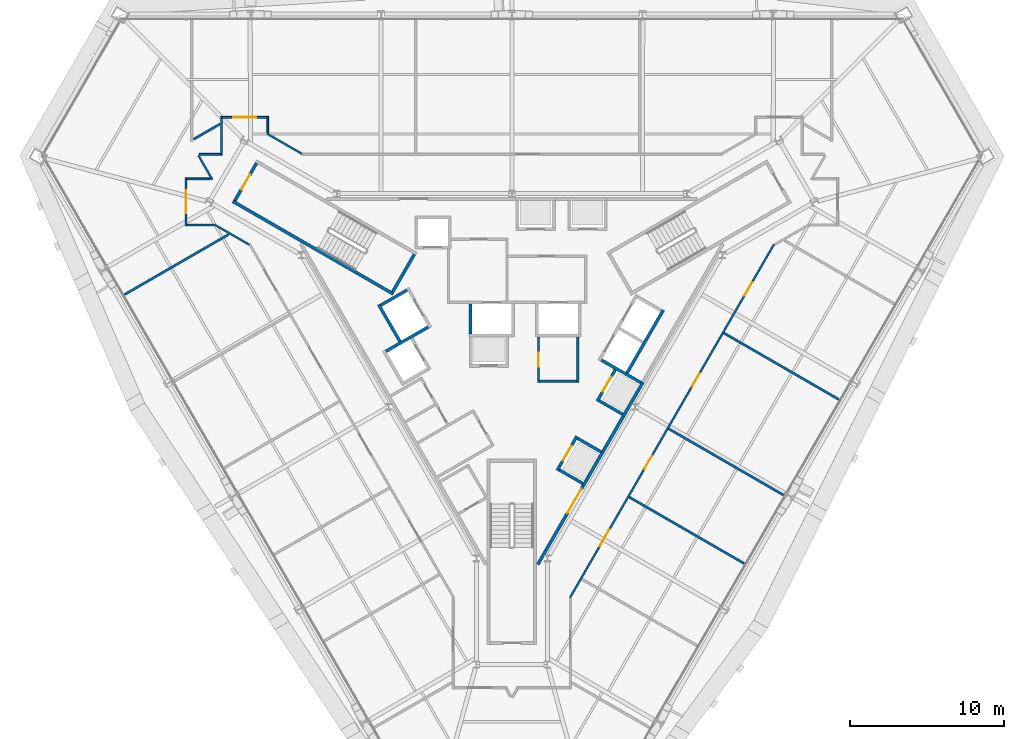
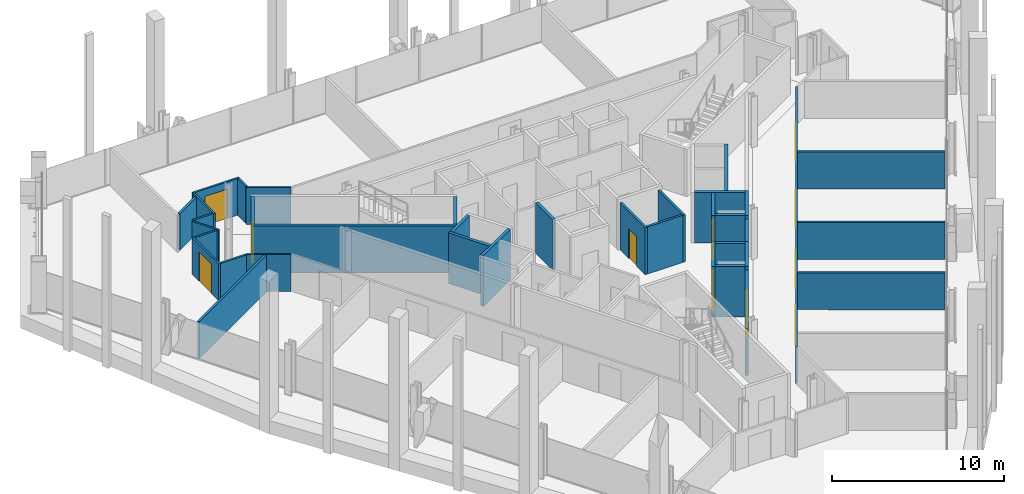
# One storey, part 11 of 16: 37 walls, 11 doors, 11 openings.
"""IFC4 building model written with IfcOpenShell, lengths in metres."""

from ifc_helpers import new_model, si_unit, direction, frame, frame_2d, origin, place, context, subcontext, project, spatial, rectangle, extrude, material, layer, layer_set, type_object, element, fill, save


model = new_model("IFC4")

# Units and contexts
model_context = context("Model", 3, precision=1e-05, world=origin(), true_north=direction((0.0, 1.0)))
body_context = subcontext(model_context, "Body", "Model", "MODEL_VIEW")
ifc_project = project(units=[si_unit("LENGTHUNIT", "METRE"), si_unit("AREAUNIT", "SQUARE_METRE"), si_unit("VOLUMEUNIT", "CUBIC_METRE"), si_unit("PLANEANGLEUNIT", "RADIAN"), si_unit("MASSUNIT", "GRAM", prefix="KILO")], contexts=[model_context])

# Site, building, storey
site_placement = place(None, origin())
site = spatial("IfcSite", under=ifc_project, at=site_placement, CompositionType="ELEMENT")
building_placement = place(site_placement, origin())
building = spatial("IfcBuilding", under=site, at=building_placement, Name="Verrane Prism Tower", CompositionType="ELEMENT")
storey_placement = place(building_placement, frame((0.0, 0.0, 36.800048828125)))
storey = spatial("IfcBuildingStorey", under=building, at=storey_placement, Name="L06", CompositionType="ELEMENT", Elevation=36.800048828125)

# Wall, opening, door
ifc_material_1 = material(Name="Gypsum board partition", Category="other")
ifc_layer_1 = layer(ifc_material_1, 0.199951171875)
ifc_layer_set_1 = layer_set([ifc_layer_1], Name="CW-200 core boundary wall 2 h")
wall_type_1 = type_object("IfcWallType", Name="CW-200 core boundary wall 2 h", PredefinedType="PARTITIONING", material=ifc_layer_set_1)
wall_1_placement = place(storey_placement, frame((1.677490234375, -14.814697265625, 0.0), z_axis=(0.0, 0.0, 1.0), x_axis=(0.49999445743, 0.866028603765, 0.0)))
wall_1 = element("IfcWall", 1, at=wall_1_placement, inside=storey, type_object=wall_type_1, Name="Core boundary wall CW3-003", PredefinedType="PARTITIONING", context=body_context, shape_type="SweptSolid", body=[
    extrude(rectangle(XDim=5.90478515625, YDim=0.199951171875, at=frame_2d((2.952392578125, 0.0))), origin(), (0.0, 0.0, 1.0), 3.349853515625),
])
opening_1_placement = place(wall_1_placement, frame((3.85498046875, 0.0, 0.0)))
opening_1 = element("IfcOpeningElement", 2, at=opening_1_placement, cuts=wall_1, Name="Opening D06522", PredefinedType="OPENING", context=body_context, shape_type="SweptSolid", body=[
    extrude(rectangle(XDim=1.800048828125, YDim=2.10009765625, at=frame_2d((0.89990234375, 1.050048828125))), frame((0.0, 0.10986328125, 0.0), z_axis=(0.0, -1.0, 0.0), x_axis=(1.0, 0.0, 0.0)), (0.0, 0.0, 1.0), 0.219970703125),
])
ifc_material_2 = material(Name="Timber veneered door leaf", Category="wood")
door_type_1 = type_object("IfcDoorType", Name="DR-1800x2100 FD60 double leaf lift lobby", OperationType="NOTDEFINED", PredefinedType="DOOR", material=ifc_material_2)
door_1_placement = place(opening_1_placement, origin())
door_1 = element("IfcDoor", 3, at=door_1_placement, inside=storey, type_object=door_type_1, Name="Lift lobby door D06522", OperationType="DOUBLE_DOOR_SINGLE_SWING", OverallHeight=2.10009765625, OverallWidth=1.800048828125, PredefinedType="DOOR", context=body_context, shape_type="SweptSolid", body=[
    extrude(rectangle(XDim=1.800048828125, YDim=2.10009765625, at=frame_2d((0.89990234375, 1.050048828125))), frame((0.0, 0.02490234375, 0.0), z_axis=(0.0, -1.0, 0.0), x_axis=(1.0, 0.0, 0.0)), (0.0, 0.0, 1.0), 0.050048828125),
])
fill(opening_1, door_1)

# Wall
wall_2_placement = place(storey_placement, frame((5.906005859375, -7.489990234375, 0.0), z_axis=(0.0, 0.0, 1.0), x_axis=(0.500252727967, 0.865879442048, 0.0)))
element("IfcWall", 4, at=wall_2_placement, inside=storey, type_object=wall_type_1, Name="Core boundary wall CW3-005", PredefinedType="PARTITIONING", context=body_context, shape_type="SweptSolid", body=[
    extrude(rectangle(XDim=2.616943359375, YDim=0.199951171875, at=frame_2d((1.30859375, 0.0))), origin(), (0.0, 0.0, 1.0), 3.349853515625),
])

# Wall, opening, door
ifc_material_3 = material(Name="Concrete C40/50", Category="concrete")
ifc_layer_2 = layer(ifc_material_3, 0.199951171875)
ifc_layer_set_2 = layer_set([ifc_layer_2], Name="CW-200 stair core wall concrete C40/50 3 h")
wall_type_2 = type_object("IfcWallType", Name="CW-200 stair core wall concrete C40/50 3 h", PredefinedType="PARTITIONING", material=ifc_layer_set_2)
wall_3_placement = place(storey_placement, frame((-16.533935546875, 11.162353515625, 0.0), z_axis=(0.0, 0.0, 1.0), x_axis=(-0.49998411664, -0.866034573852, 0.0)))
wall_3 = element("IfcWall", 5, at=wall_3_placement, inside=storey, type_object=wall_type_2, Name="Stair 2 enclosure wall", PredefinedType="PARTITIONING", context=body_context, shape_type="SweptSolid", body=[
    extrude(rectangle(XDim=2.7998046875, YDim=0.199951171875, at=frame_2d((1.39990234375, 0.0))), origin(), (0.0, 0.0, 1.0), 3.349853515625),
])
opening_2_placement = place(wall_3_placement, frame((0.849853515625, 0.0, 0.0)))
opening_2 = element("IfcOpeningElement", 6, at=opening_2_placement, cuts=wall_3, Name="Opening D06501", PredefinedType="OPENING", context=body_context, shape_type="SweptSolid", body=[
    extrude(rectangle(XDim=1.10009765625, YDim=2.10009765625, at=frame_2d((0.550048828125, 1.050048828125))), frame((0.0, 0.10986328125, 0.0), z_axis=(0.0, -1.0, 0.0), x_axis=(1.0, 0.0, 0.0)), (0.0, 0.0, 1.0), 0.219970703125),
])
ifc_material_4 = material(Name="Timber veneered door leaf", Category="wood")
door_type_2 = type_object("IfcDoorType", Name="DR-1100x2100 FD90 single leaf stair", OperationType="NOTDEFINED", PredefinedType="DOOR", material=ifc_material_4)
door_2_placement = place(opening_2_placement, origin())
door_2 = element("IfcDoor", 7, at=door_2_placement, inside=storey, type_object=door_type_2, Name="Stair 2 door", OperationType="SINGLE_SWING_RIGHT", OverallHeight=2.10009765625, OverallWidth=1.10009765625, PredefinedType="DOOR", context=body_context, shape_type="SweptSolid", body=[
    extrude(rectangle(XDim=1.10009765625, YDim=2.10009765625, at=frame_2d((0.550048828125, 1.050048828125))), frame((0.0, 0.02490234375, 0.0), z_axis=(0.0, -1.0, 0.0), x_axis=(1.0, 0.0, 0.0)), (0.0, 0.0, 1.0), 0.050048828125),
])
fill(opening_2, door_2)

# Walls
wall_4_placement = place(storey_placement, frame((-7.67822265625, 2.700927734375, 0.0), z_axis=(0.0, 0.0, 1.0), x_axis=(-0.866026010844, 0.49999894854, 0.0)))
element("IfcWall", 8, at=wall_4_placement, inside=storey, type_object=wall_type_2, Name="Stair 2 enclosure wall", PredefinedType="PARTITIONING", context=body_context, shape_type="SweptSolid", body=[
    extrude(rectangle(XDim=12.0, YDim=0.199951171875, at=frame_2d((6.0, 0.0))), origin(), (0.0, 0.0, 1.0), 3.349853515625),
])
wall_5_placement = place(storey_placement, frame((-6.314697265625, 5.262451171875, 0.0), z_axis=(0.0, 0.0, 1.0), x_axis=(-0.500049511043, -0.865996816683, 0.0)))
element("IfcWall", 9, at=wall_5_placement, inside=storey, type_object=wall_type_2, Name="Stair 2 enclosure wall", PredefinedType="PARTITIONING", context=body_context, shape_type="SweptSolid", body=[
    extrude(rectangle(XDim=2.800048828125, YDim=0.199951171875, at=frame_2d((1.39990234375, 0.0))), origin(), (0.0, 0.0, 1.0), 3.349853515625),
])
ifc_material_5 = material(Name="Gypsum board shaft wall assembly", Category="other")
ifc_layer_3 = layer(ifc_material_5, 0.199951171875)
ifc_layer_set_3 = layer_set([ifc_layer_3], Name="HW-200 lift shaft wall 2 h")
wall_type_3 = type_object("IfcWallType", Name="HW-200 lift shaft wall 2 h", PredefinedType="PARTITIONING", material=ifc_layer_set_3)
wall_6_placement = place(storey_placement, frame((-8.14453125, -1.012939453125, 0.0), z_axis=(0.0, 0.0, 1.0), x_axis=(0.866016494683, 0.500015430699, 0.0)))
element("IfcWall", 10, at=wall_6_placement, inside=storey, type_object=wall_type_3, Name="Lift shaft wall", PredefinedType="PARTITIONING", context=body_context, shape_type="SweptSolid", body=[
    extrude(rectangle(XDim=3.14990234375, YDim=0.199951171875, at=frame_2d((1.574951171875, 0.0))), origin(), (0.0, 0.0, 1.0), 3.599853515625),
])
wall_7_placement = place(storey_placement, frame((-8.48046875, 1.968505859375, 0.0), z_axis=(0.0, 0.0, 1.0), x_axis=(0.866000020948, 0.500043961785, 0.0)))
element("IfcWall", 11, at=wall_7_placement, inside=storey, type_object=wall_type_3, Name="Lift shaft wall", PredefinedType="PARTITIONING", context=body_context, shape_type="SweptSolid", body=[
    extrude(rectangle(XDim=1.949951171875, YDim=0.199951171875, at=frame_2d((0.97509765625, 0.0))), origin(), (0.0, 0.0, 1.0), 3.599853515625),
])
wall_8_placement = place(storey_placement, frame((4.63037109375, -9.69970703125, 0.0), z_axis=(0.0, 0.0, 1.0), x_axis=(0.500062241894, 0.865989465428, 0.0)))
element("IfcWall", 12, at=wall_8_placement, inside=storey, type_object=wall_type_3, Name="Lift shaft wall", PredefinedType="PARTITIONING", context=body_context, shape_type="SweptSolid", body=[
    extrude(rectangle(XDim=2.550048828125, YDim=0.199951171875, at=frame_2d((1.27490234375, 0.0))), origin(), (0.0, 0.0, 1.0), 3.599853515625),
])
wall_9_placement = place(storey_placement, frame((7.215576171875, -5.222412109375, 0.0), z_axis=(0.0, 0.0, 1.0), x_axis=(0.499990435942, 0.866030925526, 0.0)))
element("IfcWall", 13, at=wall_9_placement, inside=storey, type_object=wall_type_3, Name="Lift shaft wall", PredefinedType="PARTITIONING", context=body_context, shape_type="SweptSolid", body=[
    extrude(rectangle(XDim=2.5498046875, YDim=0.199951171875, at=frame_2d((1.27490234375, 0.0))), origin(), (0.0, 0.0, 1.0), 3.599853515625),
])
wall_10_placement = place(storey_placement, frame((7.451171875, -2.4140625, 0.0), z_axis=(0.0, 0.0, 1.0), x_axis=(0.500016218704, 0.866016039709, 0.0)))
element("IfcWall", 14, at=wall_10_placement, inside=storey, type_object=wall_type_3, Name="Lift shaft wall", PredefinedType="PARTITIONING", context=body_context, shape_type="SweptSolid", body=[
    extrude(rectangle(XDim=4.699951171875, YDim=0.199951171875, at=frame_2d((2.35009765625, 0.0))), origin(), (0.0, 0.0, 1.0), 3.599853515625),
])

# Wall, opening, door
wall_11_placement = place(storey_placement, frame((2.941650390625, -8.724853515625, 0.0), z_axis=(0.0, 0.0, 1.0), x_axis=(0.500020783669, 0.866013403995, 0.0)))
wall_11 = element("IfcWall", 15, at=wall_11_placement, inside=storey, type_object=wall_type_3, Name="Lift shaft wall", PredefinedType="PARTITIONING", context=body_context, shape_type="SweptSolid", body=[
    extrude(rectangle(XDim=2.55029296875, YDim=0.199951171875, at=frame_2d((1.275146484375, 0.0))), origin(), (0.0, 0.0, 1.0), 3.599853515625),
])
opening_3_placement = place(wall_11_placement, frame((0.72509765625, 0.0, 0.0)))
opening_3 = element("IfcOpeningElement", 16, at=opening_3_placement, cuts=wall_11, Name="Opening D06510", PredefinedType="OPENING", context=body_context, shape_type="SweptSolid", body=[
    extrude(rectangle(XDim=1.10009765625, YDim=2.10009765625, at=frame_2d((0.550048828125, 1.050048828125))), frame((0.0, 0.10986328125, 0.0), z_axis=(0.0, -1.0, 0.0), x_axis=(1.0, 0.0, 0.0)), (0.0, 0.0, 1.0), 0.219970703125),
])
ifc_material_6 = material(Name="Stainless steel sliding landing door", Category="steel")
door_type_3 = type_object("IfcDoorType", Name="LD-1100x2100 lift landing door FD90 sliding", OperationType="NOTDEFINED", PredefinedType="DOOR", material=ifc_material_6)
door_3_placement = place(opening_3_placement, origin())
door_3 = element("IfcDoor", 17, at=door_3_placement, inside=storey, type_object=door_type_3, Name="Bank A lift 4 landing door", OperationType="SLIDING_TO_RIGHT", OverallHeight=2.10009765625, OverallWidth=1.10009765625, PredefinedType="DOOR", context=body_context, shape_type="SweptSolid", body=[
    extrude(rectangle(XDim=1.10009765625, YDim=2.10009765625, at=frame_2d((0.550048828125, 1.050048828125))), frame((0.0, 0.02490234375, 0.0), z_axis=(0.0, -1.0, 0.0), x_axis=(1.0, 0.0, 0.0)), (0.0, 0.0, 1.0), 0.050048828125),
])
fill(opening_3, door_3)

wall_12_placement = place(storey_placement, frame((5.52685546875, -4.247314453125, 0.0), z_axis=(0.0, 0.0, 1.0), x_axis=(0.499938297808, 0.866061024631, 0.0)))
wall_12 = element("IfcWall", 18, at=wall_12_placement, inside=storey, type_object=wall_type_3, Name="Lift shaft wall", PredefinedType="PARTITIONING", context=body_context, shape_type="SweptSolid", body=[
    extrude(rectangle(XDim=2.349853515625, YDim=0.199951171875, at=frame_2d((1.1748046875, 0.0))), origin(), (0.0, 0.0, 1.0), 3.599853515625),
])
opening_4_placement = place(wall_12_placement, frame((0.72509765625, 0.0, 0.0)))
opening_4 = element("IfcOpeningElement", 19, at=opening_4_placement, cuts=wall_12, Name="Opening D06511", PredefinedType="OPENING", context=body_context, shape_type="SweptSolid", body=[
    extrude(rectangle(XDim=1.10009765625, YDim=2.10009765625, at=frame_2d((0.550048828125, 1.050048828125))), frame((0.0, 0.10986328125, 0.0), z_axis=(0.0, -1.0, 0.0), x_axis=(1.0, 0.0, 0.0)), (0.0, 0.0, 1.0), 0.219970703125),
])
door_4_placement = place(opening_4_placement, origin())
door_4 = element("IfcDoor", 20, at=door_4_placement, inside=storey, type_object=door_type_3, Name="Bank A lift 5 landing door", OperationType="SLIDING_TO_LEFT", OverallHeight=2.10009765625, OverallWidth=1.10009765625, PredefinedType="DOOR", context=body_context, shape_type="SweptSolid", body=[
    extrude(rectangle(XDim=1.10009765625, YDim=2.10009765625, at=frame_2d((0.550048828125, 1.050048828125))), frame((0.0, 0.02490234375, 0.0), z_axis=(0.0, -1.0, 0.0), x_axis=(1.0, 0.0, 0.0)), (0.0, 0.0, 1.0), 0.050048828125),
])
fill(opening_4, door_4)

# Walls
wall_13_placement = place(storey_placement, frame((-2.68505859375, 0.10009765625, 0.0), z_axis=(0.0, 0.0, 1.0), x_axis=(0.0, 1.0, 0.0)))
element("IfcWall", 21, at=wall_13_placement, inside=storey, type_object=wall_type_3, Name="Lift shaft wall", PredefinedType="PARTITIONING", context=body_context, shape_type="SweptSolid", body=[
    extrude(rectangle(XDim=1.949951171875, YDim=0.199951171875, at=frame_2d((0.97509765625, 0.0))), origin(), (0.0, 0.0, 1.0), 3.599853515625),
])
wall_14_placement = place(storey_placement, frame((-7.241943359375, -0.37646484375, 0.0), z_axis=(0.0, 0.0, 1.0), x_axis=(-0.499996545922, 0.866027397988, 0.0)))
element("IfcWall", 22, at=wall_14_placement, inside=storey, type_object=wall_type_3, Name="Lift shaft wall", PredefinedType="PARTITIONING", context=body_context, shape_type="SweptSolid", body=[
    extrude(rectangle(XDim=2.75, YDim=0.199951171875, at=frame_2d((1.375, 0.0))), origin(), (0.0, 0.0, 1.0), 3.599853515625),
])
wall_15_placement = place(storey_placement, frame((8.35400390625, -3.050537109375, 0.0), z_axis=(0.0, 0.0, 1.0), x_axis=(-0.866060182126, 0.499939757307, 0.0)))
element("IfcWall", 23, at=wall_15_placement, inside=storey, type_object=wall_type_3, Name="Lift shaft wall", PredefinedType="PARTITIONING", context=body_context, shape_type="SweptSolid", body=[
    extrude(rectangle(XDim=2.949951171875, YDim=0.199951171875, at=frame_2d((1.47509765625, 0.0))), origin(), (0.0, 0.0, 1.0), 3.599853515625),
])
wall_16_placement = place(storey_placement, frame((7.178955078125, -5.085693359375, 0.0), z_axis=(0.0, 0.0, 1.0), x_axis=(-0.866036909293, 0.499980071345, 0.0)))
element("IfcWall", 24, at=wall_16_placement, inside=storey, type_object=wall_type_3, Name="Lift shaft wall", PredefinedType="PARTITIONING", context=body_context, shape_type="SweptSolid", body=[
    extrude(rectangle(XDim=1.75, YDim=0.199951171875, at=frame_2d((0.875, 0.0))), origin(), (0.0, 0.0, 1.0), 3.599853515625),
])
wall_17_placement = place(storey_placement, frame((5.768798828125, -7.528076171875, 0.0), z_axis=(0.0, 0.0, 1.0), x_axis=(-0.866002029911, 0.500040482552, 0.0)))
element("IfcWall", 25, at=wall_17_placement, inside=storey, type_object=wall_type_3, Name="Lift shaft wall", PredefinedType="PARTITIONING", context=body_context, shape_type="SweptSolid", body=[
    extrude(rectangle(XDim=1.749755859375, YDim=0.199951171875, at=frame_2d((0.875, 0.0))), origin(), (0.0, 0.0, 1.0), 3.599853515625),
])
wall_18_placement = place(storey_placement, frame((4.593994140625, -9.563232421875, 0.0), z_axis=(0.0, 0.0, 1.0), x_axis=(-0.866036909293, 0.499980071345, 0.0)))
element("IfcWall", 26, at=wall_18_placement, inside=storey, type_object=wall_type_3, Name="Lift shaft wall", PredefinedType="PARTITIONING", context=body_context, shape_type="SweptSolid", body=[
    extrude(rectangle(XDim=1.75, YDim=0.199951171875, at=frame_2d((0.875, 0.0))), origin(), (0.0, 0.0, 1.0), 3.599853515625),
])

# Wall, opening, door
ifc_material_7 = material(Name="Gypsum board partition", Category="other")
ifc_layer_4 = layer(ifc_material_7, 0.125)
ifc_layer_set_4 = layer_set([ifc_layer_4], Name="PW-125 corridor wall 1 h")
wall_type_4 = type_object("IfcWallType", Name="PW-125 corridor wall 1 h", PredefinedType="PARTITIONING", material=ifc_layer_set_4)
wall_19_placement = place(storey_placement, frame((-21.096923828125, 7.1005859375, 0.0), z_axis=(0.0, 0.0, 1.0), x_axis=(0.0, 1.0, 0.0)))
wall_19 = element("IfcWall", 27, at=wall_19_placement, inside=storey, type_object=wall_type_4, Name="Corridor wall 403", PredefinedType="PARTITIONING", context=body_context, shape_type="SweptSolid", body=[
    extrude(rectangle(XDim=3.118896484375, YDim=0.125, at=frame_2d((1.5595703125, 0.0))), origin(), (0.0, 0.0, 1.0), 2.613037109375),
])
opening_5_placement = place(wall_19_placement, frame((0.8125, 0.0, 0.0)))
opening_5 = element("IfcOpeningElement", 28, at=opening_5_placement, cuts=wall_19, Name="Opening D06304", PredefinedType="OPENING", context=body_context, shape_type="SweptSolid", body=[
    extrude(rectangle(XDim=1.5, YDim=2.10009765625, at=frame_2d((0.75, 1.050048828125))), frame((0.0, 0.072509765625, 0.0), z_axis=(0.0, -1.0, 0.0), x_axis=(1.0, 0.0, 0.0)), (0.0, 0.0, 1.0), 0.14501953125),
])
ifc_material_8 = material(Name="Timber veneered door leaf", Category="wood")
door_type_4 = type_object("IfcDoorType", Name="DR-1500x2100 FD20 double leaf public", OperationType="NOTDEFINED", PredefinedType="DOOR", material=ifc_material_8)
door_5_placement = place(opening_5_placement, origin())
door_5 = element("IfcDoor", 29, at=door_5_placement, inside=storey, type_object=door_type_4, Name="Meeting Room door", OperationType="DOUBLE_DOOR_SINGLE_SWING", OverallHeight=2.10009765625, OverallWidth=1.5, PredefinedType="DOOR", context=body_context, shape_type="SweptSolid", body=[
    extrude(rectangle(XDim=1.5, YDim=2.10009765625, at=frame_2d((0.75, 1.050048828125))), frame((0.0, 0.02490234375, 0.0), z_axis=(0.0, -1.0, 0.0), x_axis=(1.0, 0.0, 0.0)), (0.0, 0.0, 1.0), 0.050048828125),
])
fill(opening_5, door_5)

# Walls
wall_20_placement = place(storey_placement, frame((-21.031982421875, 7.1630859375, 0.0), z_axis=(0.0, 0.0, 1.0), x_axis=(1.0, 0.0, 0.0)))
element("IfcWall", 30, at=wall_20_placement, inside=storey, type_object=wall_type_4, Name="Corridor wall 404", PredefinedType="PARTITIONING", context=body_context, shape_type="SweptSolid", body=[
    extrude(rectangle(XDim=1.740966796875, YDim=0.125, at=frame_2d((0.87060546875, 0.0))), origin(), (0.0, 0.0, 1.0), 2.613037109375),
])
wall_21_placement = place(storey_placement, frame((-21.031982421875, 10.156982421875, 0.0), z_axis=(0.0, 0.0, 1.0), x_axis=(1.0, 0.0, 0.0)))
element("IfcWall", 31, at=wall_21_placement, inside=storey, type_object=wall_type_4, Name="Corridor wall 405", PredefinedType="PARTITIONING", context=body_context, shape_type="SweptSolid", body=[
    extrude(rectangle(XDim=1.506103515625, YDim=0.125, at=frame_2d((0.7529296875, 0.0))), origin(), (0.0, 0.0, 1.0), 2.613037109375),
])
wall_22_placement = place(storey_placement, frame((-20.29296875, 11.666015625, 0.0), z_axis=(0.0, 0.0, 1.0), x_axis=(0.500327160669, -0.865836435071, 0.0)))
element("IfcWall", 32, at=wall_22_placement, inside=storey, type_object=wall_type_4, Name="Corridor wall 408", PredefinedType="PARTITIONING", context=body_context, shape_type="SweptSolid", body=[
    extrude(rectangle(XDim=1.805419921875, YDim=0.125, at=frame_2d((0.90283203125, 0.0))), origin(), (0.0, 0.0, 1.0), 2.613037109375),
])
wall_23_placement = place(storey_placement, frame((-20.22998046875, 11.740966796875, 0.0), z_axis=(0.0, 0.0, 1.0), x_axis=(1.0, 0.0, 0.0)))
element("IfcWall", 33, at=wall_23_placement, inside=storey, type_object=wall_type_4, Name="Corridor wall 409", PredefinedType="PARTITIONING", context=body_context, shape_type="SweptSolid", body=[
    extrude(rectangle(XDim=1.367919921875, YDim=0.125, at=frame_2d((0.68408203125, 0.0))), origin(), (0.0, 0.0, 1.0), 2.613037109375),
])
wall_24_placement = place(storey_placement, frame((-19.260009765625, 7.1943359375, 0.0), z_axis=(0.0, 0.0, 1.0), x_axis=(0.865944638795, -0.50013986298, 0.0)))
element("IfcWall", 34, at=wall_24_placement, inside=storey, type_object=wall_type_4, Name="Corridor wall 410", PredefinedType="PARTITIONING", context=body_context, shape_type="SweptSolid", body=[
    extrude(rectangle(XDim=2.598876953125, YDim=0.125, at=frame_2d((1.29931640625, 0.0))), origin(), (0.0, 0.0, 1.0), 2.613037109375),
])
wall_25_placement = place(storey_placement, frame((-18.797119140625, 11.678466796875, 0.0), z_axis=(0.0, 0.0, 1.0), x_axis=(0.0, 1.0, 0.0)))
element("IfcWall", 35, at=wall_25_placement, inside=storey, type_object=wall_type_4, Name="Corridor wall 411", PredefinedType="PARTITIONING", context=body_context, shape_type="SweptSolid", body=[
    extrude(rectangle(XDim=2.3935546875, YDim=0.125, at=frame_2d((1.19677734375, 0.0))), origin(), (0.0, 0.0, 1.0), 2.613037109375),
])

# Wall, opening, door
wall_26_placement = place(storey_placement, frame((-18.859619140625, 14.136962890625, 0.0), z_axis=(0.0, 0.0, 1.0), x_axis=(1.0, 0.0, 0.0)))
wall_26 = element("IfcWall", 36, at=wall_26_placement, inside=storey, type_object=wall_type_4, Name="Corridor wall 412", PredefinedType="PARTITIONING", context=body_context, shape_type="SweptSolid", body=[
    extrude(rectangle(XDim=3.119140625, YDim=0.125, at=frame_2d((1.5595703125, 0.0))), origin(), (0.0, 0.0, 1.0), 2.613037109375),
])
opening_6_placement = place(wall_26_placement, frame((0.8125, 0.0, 0.0)))
opening_6 = element("IfcOpeningElement", 37, at=opening_6_placement, cuts=wall_26, Name="Opening D06303", PredefinedType="OPENING", context=body_context, shape_type="SweptSolid", body=[
    extrude(rectangle(XDim=1.5, YDim=2.10009765625, at=frame_2d((0.75, 1.050048828125))), frame((0.0, 0.072509765625, 0.0), z_axis=(0.0, -1.0, 0.0), x_axis=(1.0, 0.0, 0.0)), (0.0, 0.0, 1.0), 0.14501953125),
])
door_6_placement = place(opening_6_placement, origin())
door_6 = element("IfcDoor", 38, at=door_6_placement, inside=storey, type_object=door_type_4, Name="Lobby Lounge door", OperationType="DOUBLE_DOOR_SINGLE_SWING", OverallHeight=2.10009765625, OverallWidth=1.5, PredefinedType="DOOR", context=body_context, shape_type="SweptSolid", body=[
    extrude(rectangle(XDim=1.5, YDim=2.10009765625, at=frame_2d((0.75, 1.050048828125))), frame((0.0, 0.02490234375, 0.0), z_axis=(0.0, -1.0, 0.0), x_axis=(1.0, 0.0, 0.0)), (0.0, 0.0, 1.0), 0.050048828125),
])
fill(opening_6, door_6)

# Walls
wall_27_placement = place(storey_placement, frame((-15.802978515625, 13.135009765625, 0.0), z_axis=(0.0, 0.0, 1.0), x_axis=(0.0, 1.0, 0.0)))
element("IfcWall", 39, at=wall_27_placement, inside=storey, type_object=wall_type_4, Name="Corridor wall 415", PredefinedType="PARTITIONING", context=body_context, shape_type="SweptSolid", body=[
    extrude(rectangle(XDim=0.93701171875, YDim=0.125, at=frame_2d((0.468505859375, 0.0))), origin(), (0.0, 0.0, 1.0), 2.613037109375),
])
wall_28_placement = place(storey_placement, frame((-15.857177734375, 13.081298828125, 0.0), z_axis=(0.0, 0.0, 1.0), x_axis=(0.865988195383, -0.500064441305, 0.0)))
element("IfcWall", 40, at=wall_28_placement, inside=storey, type_object=wall_type_4, Name="Corridor wall 416", PredefinedType="PARTITIONING", context=body_context, shape_type="SweptSolid", body=[
    extrude(rectangle(XDim=2.595458984375, YDim=0.125, at=frame_2d((1.2978515625, 0.0))), origin(), (0.0, 0.0, 1.0), 2.613037109375),
])

# Wall, openings, doors
wall_29_placement = place(storey_placement, frame((16.96728515625, 5.906005859375, 0.0), z_axis=(0.0, 0.0, 1.0), x_axis=(-0.500024758804, -0.866011108811, 0.0)))
wall_29 = element("IfcWall", 41, at=wall_29_placement, inside=storey, type_object=wall_type_4, Name="Corridor wall 429", PredefinedType="PARTITIONING", context=body_context, shape_type="SweptSolid", body=[
    extrude(rectangle(XDim=26.401611328125, YDim=0.125, at=frame_2d((13.20068359375, 0.0))), origin(), (0.0, 0.0, 1.0), 2.613037109375),
])
opening_7_placement = place(wall_29_placement, frame((21.332275390625, 0.0, 0.0)))
opening_7 = element("IfcOpeningElement", 42, at=opening_7_placement, cuts=wall_29, Name="Opening D06312", PredefinedType="OPENING", context=body_context, shape_type="SweptSolid", body=[
    extrude(rectangle(XDim=1.199951171875, YDim=2.10009765625, at=frame_2d((0.60009765625, 1.050048828125))), frame((0.0, 0.072509765625, 0.0), z_axis=(0.0, -1.0, 0.0), x_axis=(1.0, 0.0, 0.0)), (0.0, 0.0, 1.0), 0.14501953125),
])
opening_8_placement = place(wall_29_placement, frame((15.80126953125, 0.0, 0.0)))
opening_8 = element("IfcOpeningElement", 43, at=opening_8_placement, cuts=wall_29, Name="Opening D06313", PredefinedType="OPENING", context=body_context, shape_type="SweptSolid", body=[
    extrude(rectangle(XDim=1.0, YDim=2.10009765625, at=frame_2d((0.5, 1.050048828125))), frame((0.0, 0.072509765625, 0.0), z_axis=(0.0, -1.0, 0.0), x_axis=(1.0, 0.0, 0.0)), (0.0, 0.0, 1.0), 0.14501953125),
])
opening_9_placement = place(wall_29_placement, frame((9.642333984375, 0.0, 0.0)))
opening_9 = element("IfcOpeningElement", 44, at=opening_9_placement, cuts=wall_29, Name="Opening D06314", PredefinedType="OPENING", context=body_context, shape_type="SweptSolid", body=[
    extrude(rectangle(XDim=1.0, YDim=2.10009765625, at=frame_2d((0.5, 1.050048828125))), frame((0.0, 0.072509765625, 0.0), z_axis=(0.0, -1.0, 0.0), x_axis=(1.0, 0.0, 0.0)), (0.0, 0.0, 1.0), 0.14501953125),
])
opening_10_placement = place(wall_29_placement, frame((2.83935546875, 0.0, 0.0)))
opening_10 = element("IfcOpeningElement", 45, at=opening_10_placement, cuts=wall_29, Name="Opening D06315", PredefinedType="OPENING", context=body_context, shape_type="SweptSolid", body=[
    extrude(rectangle(XDim=1.0, YDim=2.10009765625, at=frame_2d((0.5, 1.050048828125))), frame((0.0, 0.072509765625, 0.0), z_axis=(0.0, -1.0, 0.0), x_axis=(1.0, 0.0, 0.0)), (0.0, 0.0, 1.0), 0.14501953125),
])
ifc_material_9 = material(Name="Timber veneered door leaf", Category="wood")
door_type_5 = type_object("IfcDoorType", Name="DR-1000x2100 FD20 single leaf unit", OperationType="NOTDEFINED", PredefinedType="DOOR", material=ifc_material_9)
door_7_placement = place(opening_8_placement, origin())
door_7 = element("IfcDoor", 46, at=door_7_placement, inside=storey, type_object=door_type_5, Name="Concierge Office door", OperationType="SINGLE_SWING_RIGHT", OverallHeight=2.10009765625, OverallWidth=1.0, PredefinedType="DOOR", context=body_context, shape_type="SweptSolid", body=[
    extrude(rectangle(XDim=1.0, YDim=2.10009765625, at=frame_2d((0.5, 1.050048828125))), frame((0.0, 0.02490234375, 0.0), z_axis=(0.0, -1.0, 0.0), x_axis=(1.0, 0.0, 0.0)), (0.0, 0.0, 1.0), 0.050048828125),
])
fill(opening_8, door_7)
door_8_placement = place(opening_9_placement, origin())
door_8 = element("IfcDoor", 47, at=door_8_placement, inside=storey, type_object=door_type_5, Name="Hotel Office door", OperationType="SINGLE_SWING_LEFT", OverallHeight=2.10009765625, OverallWidth=1.0, PredefinedType="DOOR", context=body_context, shape_type="SweptSolid", body=[
    extrude(rectangle(XDim=1.0, YDim=2.10009765625, at=frame_2d((0.5, 1.050048828125))), frame((0.0, 0.02490234375, 0.0), z_axis=(0.0, -1.0, 0.0), x_axis=(1.0, 0.0, 0.0)), (0.0, 0.0, 1.0), 0.050048828125),
])
fill(opening_9, door_8)
door_9_placement = place(opening_10_placement, origin())
door_9 = element("IfcDoor", 48, at=door_9_placement, inside=storey, type_object=door_type_5, Name="Hotel Office door", OperationType="SINGLE_SWING_RIGHT", OverallHeight=2.10009765625, OverallWidth=1.0, PredefinedType="DOOR", context=body_context, shape_type="SweptSolid", body=[
    extrude(rectangle(XDim=1.0, YDim=2.10009765625, at=frame_2d((0.5, 1.050048828125))), frame((0.0, 0.02490234375, 0.0), z_axis=(0.0, -1.0, 0.0), x_axis=(1.0, 0.0, 0.0)), (0.0, 0.0, 1.0), 0.050048828125),
])
fill(opening_10, door_9)
ifc_material_10 = material(Name="Timber veneered door leaf", Category="wood")
door_type_6 = type_object("IfcDoorType", Name="DR-1200x2100 FD20 single leaf unit", OperationType="NOTDEFINED", PredefinedType="DOOR", material=ifc_material_10)
door_10_placement = place(opening_7_placement, origin())
door_10 = element("IfcDoor", 49, at=door_10_placement, inside=storey, type_object=door_type_6, Name="Hotel Retail door", OperationType="SINGLE_SWING_LEFT", OverallHeight=2.10009765625, OverallWidth=1.199951171875, PredefinedType="DOOR", context=body_context, shape_type="SweptSolid", body=[
    extrude(rectangle(XDim=1.199951171875, YDim=2.10009765625, at=frame_2d((0.60009765625, 1.050048828125))), frame((0.0, 0.02490234375, 0.0), z_axis=(0.0, -1.0, 0.0), x_axis=(1.0, 0.0, 0.0)), (0.0, 0.0, 1.0), 0.050048828125),
])
fill(opening_7, door_10)

# Walls
ifc_material_11 = material(Name="Gypsum board partition", Category="other")
ifc_layer_5 = layer(ifc_material_11, 0.14990234375)
ifc_layer_set_5 = layer_set([ifc_layer_5], Name="PW-150 demising wall 1 h")
wall_type_5 = type_object("IfcWallType", Name="PW-150 demising wall 1 h", PredefinedType="PARTITIONING", material=ifc_layer_set_5)
wall_30_placement = place(storey_placement, frame((-25.083984375, 2.656982421875, 0.0), z_axis=(0.0, 0.0, 1.0), x_axis=(0.866001204974, 0.500041911227, 0.0)))
element("IfcWall", 50, at=wall_30_placement, inside=storey, type_object=wall_type_5, Name="Demising wall 401", PredefinedType="PARTITIONING", context=body_context, shape_type="SweptSolid", body=[
    extrude(rectangle(XDim=7.783935546875, YDim=0.14990234375, at=frame_2d((3.89208984375, 0.0))), origin(), (0.0, 0.0, 1.0), 2.613037109375),
])
wall_31_placement = place(storey_placement, frame((-20.602294921875, 12.717041015625, 0.0), z_axis=(0.0, 0.0, 1.0), x_axis=(0.866121584746, 0.499833372672, 0.0)))
element("IfcWall", 51, at=wall_31_placement, inside=storey, type_object=wall_type_5, Name="Demising wall 407", PredefinedType="PARTITIONING", context=body_context, shape_type="SweptSolid", body=[
    extrude(rectangle(XDim=1.968994140625, YDim=0.14990234375, at=frame_2d((0.984375, 0.0))), origin(), (0.0, 0.0, 1.0), 2.613037109375),
])
wall_32_placement = place(storey_placement, frame((7.599365234375, -10.45263671875, 0.0), z_axis=(0.0, 0.0, 1.0), x_axis=(0.865982457891, -0.500074377092, 0.0)))
element("IfcWall", 52, at=wall_32_placement, inside=storey, type_object=wall_type_5, Name="Demising wall 431", PredefinedType="PARTITIONING", context=body_context, shape_type="SweptSolid", body=[
    extrude(rectangle(XDim=8.587158203125, YDim=0.14990234375, at=frame_2d((4.29345703125, 0.0))), origin(), (0.0, 0.0, 1.0), 2.613037109375),
])
wall_33_placement = place(storey_placement, frame((10.150146484375, -6.0263671875, 0.0), z_axis=(0.0, 0.0, 1.0), x_axis=(0.866041729639, -0.499971721724, 0.0)))
element("IfcWall", 53, at=wall_33_placement, inside=storey, type_object=wall_type_5, Name="Demising wall 433", PredefinedType="PARTITIONING", context=body_context, shape_type="SweptSolid", body=[
    extrude(rectangle(XDim=8.59130859375, YDim=0.14990234375, at=frame_2d((4.295654296875, 0.0))), origin(), (0.0, 0.0, 1.0), 2.613037109375),
])
wall_34_placement = place(storey_placement, frame((13.73046875, 0.166259765625, 0.0), z_axis=(0.0, 0.0, 1.0), x_axis=(0.866026501939, -0.499998097935, 0.0)))
element("IfcWall", 54, at=wall_34_placement, inside=storey, type_object=wall_type_5, Name="Demising wall 435", PredefinedType="PARTITIONING", context=body_context, shape_type="SweptSolid", body=[
    extrude(rectangle(XDim=8.5869140625, YDim=0.14990234375, at=frame_2d((4.29345703125, 0.0))), origin(), (0.0, 0.0, 1.0), 2.613037109375),
])

# Wall, opening, door
ifc_material_12 = material(Name="Gypsum board partition", Category="other")
ifc_layer_6 = layer(ifc_material_12, 0.14990234375)
ifc_layer_set_6 = layer_set([ifc_layer_6], Name="RS-150 riser enclosure wall 1 h")
wall_type_6 = type_object("IfcWallType", Name="RS-150 riser enclosure wall 1 h", PredefinedType="PARTITIONING", material=ifc_layer_set_6)
wall_35_placement = place(storey_placement, frame((1.72509765625, -0.10205078125, 0.0), z_axis=(0.0, 0.0, 1.0), x_axis=(0.0, -1.0, 0.0)))
wall_35 = element("IfcWall", 55, at=wall_35_placement, inside=storey, type_object=wall_type_6, Name="Riser wall RS3-010", PredefinedType="PARTITIONING", context=body_context, shape_type="SweptSolid", body=[
    extrude(rectangle(XDim=2.9228515625, YDim=0.14990234375, at=frame_2d((1.46142578125, 0.0))), origin(), (0.0, 0.0, 1.0), 3.349853515625),
])
opening_11_placement = place(wall_35_placement, frame((0.998046875, 0.0, 0.0)))
opening_11 = element("IfcOpeningElement", 56, at=opening_11_placement, cuts=wall_35, Name="Opening D06523", PredefinedType="OPENING", context=body_context, shape_type="SweptSolid", body=[
    extrude(rectangle(XDim=0.89990234375, YDim=2.10009765625, at=frame_2d((0.449951171875, 1.050048828125))), frame((0.0, 0.0849609375, 0.0), z_axis=(0.0, -1.0, 0.0), x_axis=(1.0, 0.0, 0.0)), (0.0, 0.0, 1.0), 0.169921875),
])
ifc_material_13 = material(Name="Timber veneered door leaf", Category="wood")
door_type_7 = type_object("IfcDoorType", Name="DR-900x2100 FD20 single leaf store", OperationType="NOTDEFINED", PredefinedType="DOOR", material=ifc_material_13)
door_11_placement = place(opening_11_placement, origin())
door_11 = element("IfcDoor", 57, at=door_11_placement, inside=storey, type_object=door_type_7, Name="Room door D06523", OperationType="SINGLE_SWING_LEFT", OverallHeight=2.10009765625, OverallWidth=0.89990234375, PredefinedType="DOOR", context=body_context, shape_type="SweptSolid", body=[
    extrude(rectangle(XDim=0.89990234375, YDim=2.10009765625, at=frame_2d((0.449951171875, 1.050048828125))), frame((0.0, 0.02490234375, 0.0), z_axis=(0.0, -1.0, 0.0), x_axis=(1.0, 0.0, 0.0)), (0.0, 0.0, 1.0), 0.050048828125),
])
fill(opening_11, door_11)

# Walls
wall_36_placement = place(storey_placement, frame((1.800048828125, -2.949951171875, 0.0), z_axis=(0.0, 0.0, 1.0), x_axis=(1.0, 0.0, 0.0)))
element("IfcWall", 58, at=wall_36_placement, inside=storey, type_object=wall_type_6, Name="Riser wall RS3-011", PredefinedType="PARTITIONING", context=body_context, shape_type="SweptSolid", body=[
    extrude(rectangle(XDim=2.39990234375, YDim=0.14990234375, at=frame_2d((1.199951171875, 0.0))), origin(), (0.0, 0.0, 1.0), 3.349853515625),
])
wall_37_placement = place(storey_placement, frame((4.27490234375, -3.02490234375, 0.0), z_axis=(0.0, 0.0, 1.0), x_axis=(0.0, 1.0, 0.0)))
element("IfcWall", 59, at=wall_37_placement, inside=storey, type_object=wall_type_6, Name="Riser wall RS3-012", PredefinedType="PARTITIONING", context=body_context, shape_type="SweptSolid", body=[
    extrude(rectangle(XDim=2.9228515625, YDim=0.14990234375, at=frame_2d((1.46142578125, 0.0))), origin(), (0.0, 0.0, 1.0), 3.349853515625),
])

save(model, "model.ifc")
